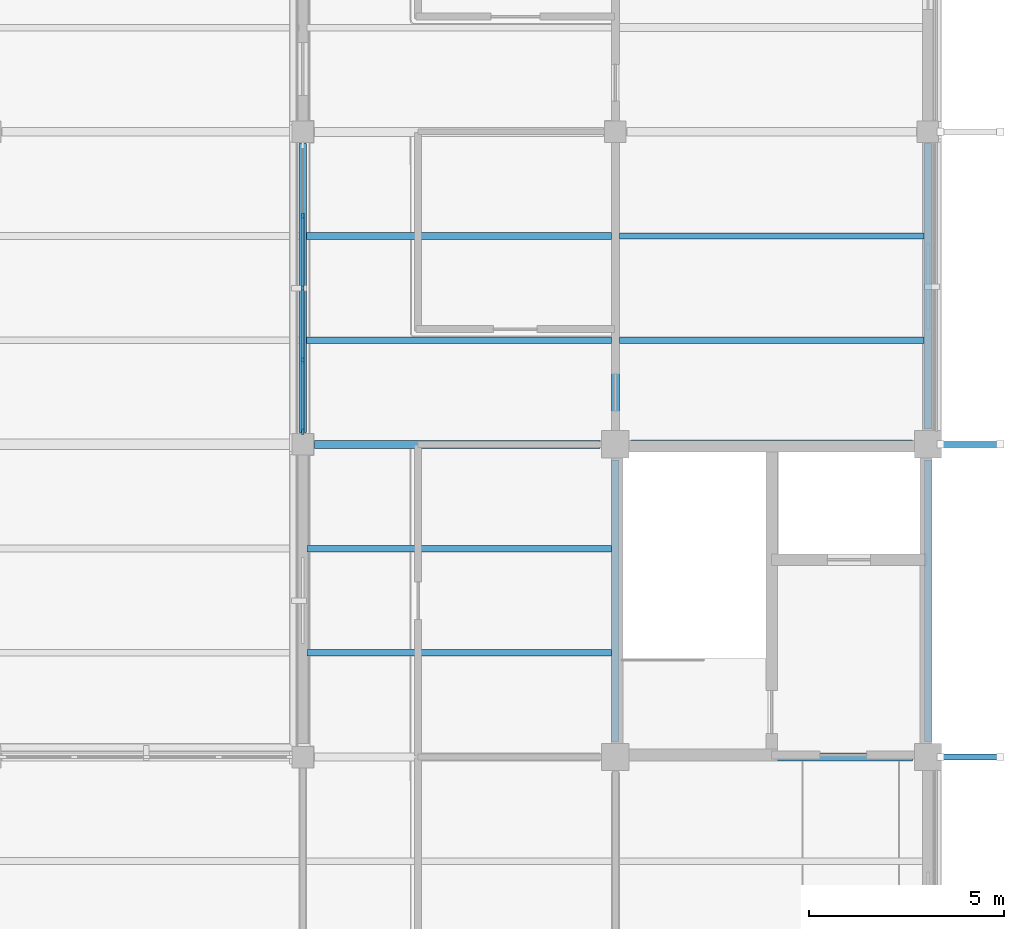
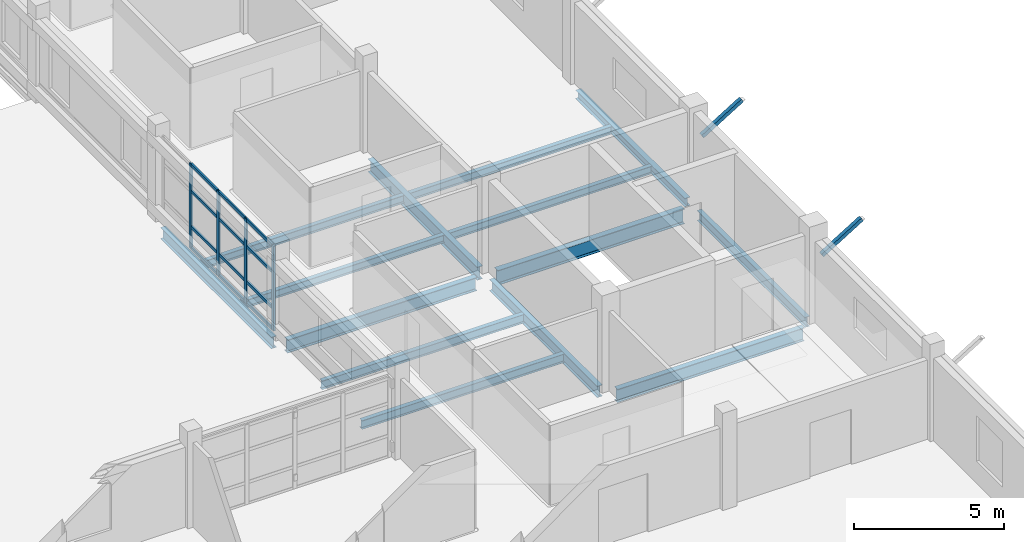
# One storey, part 41 of 107: 18 members, 14 beams, 1 element without a shape of its own.
"""IFC4 building model written with IfcOpenShell, lengths in metres."""

from ifc_helpers import new_model, si_unit, derived_unit, direction, frame, origin, origin_2d, place, context, subcontext, project, spatial, rectangle, hollow_rectangle, i_section, extrude, material, layer, layer_set, material_profile, profile_set, type_object, element, aggregate, save


model = new_model("IFC4")

# Units and contexts
model_context = context("Model", 3, precision=1e-05, world=origin(), true_north=direction((0.0, 1.0)))
body_context = subcontext(model_context, "Body", "Model", "MODEL_VIEW")
ifc_project = project(units=[si_unit("LENGTHUNIT", "METRE"), si_unit("AREAUNIT", "SQUARE_METRE"), si_unit("VOLUMEUNIT", "CUBIC_METRE"), si_unit("PLANEANGLEUNIT", "RADIAN"), si_unit("MASSUNIT", "GRAM", prefix="KILO"), derived_unit("THERMALTRANSMITTANCEUNIT", [(si_unit("MASSUNIT", "GRAM", prefix="KILO"), 1), (si_unit("TIMEUNIT", "SECOND"), -3), (si_unit("THERMODYNAMICTEMPERATUREUNIT", "KELVIN"), -1)])], contexts=[model_context])

# Site, building, storey
site_placement = place(None, origin())
site = spatial("IfcSite", under=ifc_project, at=site_placement, CompositionType="ELEMENT")
building_placement = place(site_placement, origin())
building = spatial("IfcBuilding", under=site, at=building_placement, Name="Veyamyaing Civic Hall", CompositionType="ELEMENT")
storey_placement = place(building_placement, frame((0.0, 0.0, 13.860107421875)))
storey = spatial("IfcBuildingStorey", under=building, at=storey_placement, Name="L03", CompositionType="ELEMENT", Elevation=13.860107421875)

# Beams
ifc_material_1 = material(Name="Steel ASTM A992", Category="steel")
ifc_material_profile_1 = material_profile(ifc_material_1, i_section(OverallWidth=0.22802734375, OverallDepth=0.60791015625, WebThickness=0.01123046875, FlangeThickness=0.017333984375, FilletRadius=0.012939453125, at=origin_2d()), Name="W610X113")
ifc_profile_set_1 = profile_set([ifc_material_profile_1], Name="Steel ASTM A992")
beam_type_1 = type_object("IfcBeamType", Name="B-06", PredefinedType="BEAM", material=ifc_profile_set_1)
beam_1_placement = place(storey_placement, frame((168.39990234375, 24.0, -0.55908203125), z_axis=(1.0, 0.0, 0.0), x_axis=(0.0, 1.0, 0.0)))
element("IfcBeam", 1, at=beam_1_placement, inside=storey, type_object=beam_type_1, Name="Girder B-06 L03 Grid D 22-23", PredefinedType="BEAM", context=body_context, shape_type="SweptSolid", body=[
    extrude(i_section(OverallWidth=0.22802734375, OverallDepth=0.60791015625, WebThickness=0.01123046875, FlangeThickness=0.017333984375, FilletRadius=0.012939453125, at=origin_2d()), origin(), (0.0, 0.0, 1.0), 7.2001953125),
])
ifc_material_profile_2 = material_profile(ifc_material_1, i_section(OverallWidth=0.208984375, OverallDepth=0.532958984375, WebThickness=0.01025390625, FlangeThickness=0.015625, FilletRadius=0.011962890625, at=origin_2d()), Name="W530X92")
ifc_profile_set_2 = profile_set([ifc_material_profile_2], Name="Steel ASTM A992")
beam_type_2 = type_object("IfcBeamType", Name="B-07", PredefinedType="BEAM", material=ifc_profile_set_2)
beam_2_placement = place(storey_placement, frame((168.0, 24.39990234375, -0.521728515625), z_axis=(0.0, 1.0, 0.0), x_axis=(-1.0, 0.0, 0.0)))
element("IfcBeam", 2, at=beam_2_placement, inside=storey, type_object=beam_type_2, Name="Girder B-07 L03 Grid 22 D-E", PredefinedType="BEAM", context=body_context, shape_type="SweptSolid", body=[
    extrude(i_section(OverallWidth=0.208984375, OverallDepth=0.532958984375, WebThickness=0.01025390625, FlangeThickness=0.015625, FilletRadius=0.011962890625, at=origin_2d()), origin(), (0.0, 0.0, 1.0), 7.300048828125),
])
ifc_material_profile_3 = material_profile(ifc_material_1, i_section(OverallWidth=0.179931640625, OverallDepth=0.4130859375, WebThickness=0.009765625, FlangeThickness=0.01611328125, FilletRadius=0.010009765625, at=origin_2d()), Name="W410X74")
ifc_profile_set_3 = profile_set([ifc_material_profile_3], Name="Steel ASTM A992")
beam_type_3 = type_object("IfcBeamType", Name="B-10", PredefinedType="SPANDREL", material=ifc_profile_set_3)
beam_3_placement = place(storey_placement, frame((176.0, 16.39990234375, -0.461669921875), z_axis=(0.0, 1.0, 0.0), x_axis=(-1.0, 0.0, 0.0)))
element("IfcBeam", 3, at=beam_3_placement, inside=storey, type_object=beam_type_3, Name="Girder B-10 L03 Grid 23 C-D", PredefinedType="SPANDREL", context=body_context, shape_type="SweptSolid", body=[
    extrude(i_section(OverallWidth=0.179931640625, OverallDepth=0.4130859375, WebThickness=0.009765625, FlangeThickness=0.01611328125, FilletRadius=0.010009765625, at=origin_2d()), origin(), (0.0, 0.0, 1.0), 7.2001953125),
])
ifc_material_profile_4 = material_profile(ifc_material_1, i_section(OverallWidth=0.2041015625, OverallDepth=0.35009765625, WebThickness=0.0078125, FlangeThickness=0.01513671875, FilletRadius=0.010009765625, at=origin_2d()), Name="W360X72")
ifc_profile_set_4 = profile_set([ifc_material_profile_4], Name="Steel ASTM A992")
beam_type_4 = type_object("IfcBeamType", Name="B-11", PredefinedType="SPANDREL", material=ifc_profile_set_4)
beam_4_placement = place(storey_placement, frame((176.0, 24.39990234375, -0.43017578125), z_axis=(0.0, 1.0, 0.0), x_axis=(-1.0, 0.0, 0.0)))
element("IfcBeam", 4, at=beam_4_placement, inside=storey, type_object=beam_type_4, Name="Girder B-11 L03 Grid 23 D-E", PredefinedType="SPANDREL", context=body_context, shape_type="SweptSolid", body=[
    extrude(i_section(OverallWidth=0.2041015625, OverallDepth=0.35009765625, WebThickness=0.0078125, FlangeThickness=0.01513671875, FilletRadius=0.010009765625, at=origin_2d()), origin(), (0.0, 0.0, 1.0), 7.300048828125),
])
ifc_material_profile_5 = material_profile(ifc_material_1, i_section(OverallWidth=0.2109375, OverallDepth=0.5390625, WebThickness=0.01171875, FlangeThickness=0.018798828125, FilletRadius=0.011962890625, at=origin_2d()), Name="W530X109")
ifc_profile_set_5 = profile_set([ifc_material_profile_5], Name="Steel ASTM A992")
beam_type_5 = type_object("IfcBeamType", Name="B-17", PredefinedType="BEAM", material=ifc_profile_set_5)
beam_5_placement = place(storey_placement, frame((168.39990234375, 16.0, -0.524658203125), z_axis=(1.0, 0.0, 0.0), x_axis=(0.0, 1.0, 0.0)))
element("IfcBeam", 5, at=beam_5_placement, inside=storey, type_object=beam_type_5, Name="Girder B-17 L03 Grid C 22-23", PredefinedType="BEAM", context=body_context, shape_type="SweptSolid", body=[
    extrude(i_section(OverallWidth=0.2109375, OverallDepth=0.5390625, WebThickness=0.01171875, FlangeThickness=0.018798828125, FilletRadius=0.011962890625, at=origin_2d()), origin(), (0.0, 0.0, 1.0), 7.2001953125),
])
beam_6_placement = place(storey_placement, frame((160.300048828125, 24.0, -0.524658203125), z_axis=(1.0, 0.0, 0.0), x_axis=(0.0, 1.0, 0.0)))
element("IfcBeam", 6, at=beam_6_placement, inside=storey, type_object=beam_type_5, Name="Girder B-17 L03 Grid D 21-22", PredefinedType="BEAM", context=body_context, shape_type="SweptSolid", body=[
    extrude(i_section(OverallWidth=0.2109375, OverallDepth=0.5390625, WebThickness=0.01171875, FlangeThickness=0.018798828125, FilletRadius=0.011962890625, at=origin_2d()), origin(), (0.0, 0.0, 1.0), 7.300048828125),
])
ifc_material_profile_6 = material_profile(ifc_material_1, i_section(OverallWidth=0.194091796875, OverallDepth=0.468994140625, WebThickness=0.0126953125, FlangeThickness=0.0205078125, FilletRadius=0.010009765625, at=origin_2d()), Name="W460X106")
ifc_profile_set_6 = profile_set([ifc_material_profile_6], Name="Steel ASTM A992")
beam_type_6 = type_object("IfcBeamType", Name="B-18", PredefinedType="BEAM", material=ifc_profile_set_6)
beam_7_placement = place(storey_placement, frame((160.0, 24.300048828125, -0.489501953125), z_axis=(0.0, 1.0, 0.0), x_axis=(-1.0, 0.0, 0.0)))
element("IfcBeam", 7, at=beam_7_placement, inside=storey, type_object=beam_type_6, Name="Girder B-18 L03 Grid 21 D-E", PredefinedType="BEAM", context=body_context, shape_type="SweptSolid", body=[
    extrude(i_section(OverallWidth=0.194091796875, OverallDepth=0.468994140625, WebThickness=0.0126953125, FlangeThickness=0.0205078125, FilletRadius=0.010009765625, at=origin_2d()), origin(), (0.0, 0.0, 1.0), 7.39990234375),
])
beam_8_placement = place(storey_placement, frame((168.0, 16.39990234375, -0.489501953125), z_axis=(0.0, 1.0, 0.0), x_axis=(-1.0, 0.0, 0.0)))
element("IfcBeam", 8, at=beam_8_placement, inside=storey, type_object=beam_type_6, Name="Girder B-18 L03 Grid 22 C-D", PredefinedType="BEAM", context=body_context, shape_type="SweptSolid", body=[
    extrude(i_section(OverallWidth=0.194091796875, OverallDepth=0.468994140625, WebThickness=0.0126953125, FlangeThickness=0.0205078125, FilletRadius=0.010009765625, at=origin_2d()), origin(), (0.0, 0.0, 1.0), 7.2001953125),
])

# Curtain wall, members
ifc_material_2 = material(Name="Anodised aluminium 6063-T6", Category="aluminium")
ifc_layer = layer(ifc_material_2, 0.159912109375, Name="Anodised aluminium 6063-T6")
ifc_layer_set = layer_set([ifc_layer], Name="Anodised aluminium 6063-T6")
curtain_wall_type = type_object("IfcCurtainWallType", Name="CW-07", PredefinedType="NOTDEFINED", material=ifc_layer_set)
curtain_wall_placement = place(storey_placement, origin())
curtain_wall = element("IfcCurtainWall", 9, at=curtain_wall_placement, inside=storey, type_object=curtain_wall_type, Name="Unitized curtain wall CW-07 L03 W 21.4", PredefinedType="NOTDEFINED")
ifc_material_profile_7 = material_profile(ifc_material_2, rectangle(XDim=0.06494140625, YDim=0.159912109375, at=origin_2d()), Name="ALU-MUL-65X160")
ifc_profile_set_7 = profile_set([ifc_material_profile_7], Name="Anodised aluminium 6063-T6")
member_type_1 = type_object("IfcMemberType", Name="CWM-01", PredefinedType="MULLION", material=ifc_profile_set_7)
member_1_placement = place(storey_placement, frame((160.0, 24.33740234375, 0.0), z_axis=(0.0, 0.0, 1.0), x_axis=(-1.0, 0.0, 0.0)))
member_1 = element("IfcMember", 10, at=member_1_placement, type_object=member_type_1, Name="CW-07 mullion 1", PredefinedType="MULLION", context=body_context, shape_type="SweptSolid", body=[
    extrude(rectangle(XDim=0.06494140625, YDim=0.159912109375, at=origin_2d()), origin(), (0.0, 0.0, 1.0), 3.453857421875),
])
member_2_placement = place(storey_placement, frame((160.0, 26.152587890625, 0.0), z_axis=(0.0, 0.0, 1.0), x_axis=(-1.0, 0.0, 0.0)))
member_2 = element("IfcMember", 11, at=member_2_placement, type_object=member_type_1, Name="CW-07 mullion 2", PredefinedType="MULLION", context=body_context, shape_type="SweptSolid", body=[
    extrude(rectangle(XDim=0.06494140625, YDim=0.159912109375, at=origin_2d()), origin(), (0.0, 0.0, 1.0), 3.453857421875),
])
member_3_placement = place(storey_placement, frame((160.0, 28.0, 0.0), z_axis=(0.0, 0.0, 1.0), x_axis=(-1.0, 0.0, 0.0)))
member_3 = element("IfcMember", 12, at=member_3_placement, type_object=member_type_1, Name="CW-07 mullion 3", PredefinedType="MULLION", context=body_context, shape_type="SweptSolid", body=[
    extrude(rectangle(XDim=0.06494140625, YDim=0.159912109375, at=origin_2d()), origin(), (0.0, 0.0, 1.0), 3.453857421875),
])
member_4_placement = place(storey_placement, frame((160.0, 29.847412109375, 0.0), z_axis=(0.0, 0.0, 1.0), x_axis=(-1.0, 0.0, 0.0)))
member_4 = element("IfcMember", 13, at=member_4_placement, type_object=member_type_1, Name="CW-07 mullion 4", PredefinedType="MULLION", context=body_context, shape_type="SweptSolid", body=[
    extrude(rectangle(XDim=0.06494140625, YDim=0.159912109375, at=origin_2d()), origin(), (0.0, 0.0, 1.0), 3.453857421875),
])
ifc_material_profile_8 = material_profile(ifc_material_2, rectangle(XDim=0.06494140625, YDim=0.1201171875, at=origin_2d()), Name="ALU-TRN-65X120")
ifc_profile_set_8 = profile_set([ifc_material_profile_8], Name="Anodised aluminium 6063-T6")
member_type_2 = type_object("IfcMemberType", Name="CWT-01", PredefinedType="USERDEFINED", material=ifc_profile_set_8)
member_5_placement = place(storey_placement, frame((160.0, 24.3701171875, 0.032470703125), z_axis=(0.0, 1.0, 0.0), x_axis=(-1.0, 0.0, 0.0)))
member_5 = element("IfcMember", 14, at=member_5_placement, type_object=member_type_2, Name="CW-07 transom 1.1", ObjectType="TRANSOM", PredefinedType="USERDEFINED", context=body_context, shape_type="SweptSolid", body=[
    extrude(rectangle(XDim=0.06494140625, YDim=0.1201171875, at=origin_2d()), origin(), (0.0, 0.0, 1.0), 1.75),
])
member_6_placement = place(storey_placement, frame((160.0, 24.3701171875, 0.89990234375), z_axis=(0.0, 1.0, 0.0), x_axis=(-1.0, 0.0, 0.0)))
member_6 = element("IfcMember", 15, at=member_6_placement, type_object=member_type_2, Name="CW-07 transom 1.2", ObjectType="TRANSOM", PredefinedType="USERDEFINED", context=body_context, shape_type="SweptSolid", body=[
    extrude(rectangle(XDim=0.06494140625, YDim=0.1201171875, at=origin_2d()), origin(), (0.0, 0.0, 1.0), 1.75),
])
member_7_placement = place(storey_placement, frame((160.0, 24.3701171875, 2.3486328125), z_axis=(0.0, 1.0, 0.0), x_axis=(-1.0, 0.0, 0.0)))
member_7 = element("IfcMember", 16, at=member_7_placement, type_object=member_type_2, Name="CW-07 transom 1.3", ObjectType="TRANSOM", PredefinedType="USERDEFINED", context=body_context, shape_type="SweptSolid", body=[
    extrude(rectangle(XDim=0.06494140625, YDim=0.1201171875, at=origin_2d()), origin(), (0.0, 0.0, 1.0), 1.75),
])
member_8_placement = place(storey_placement, frame((160.0, 24.3701171875, 3.42138671875), z_axis=(0.0, 1.0, 0.0), x_axis=(-1.0, 0.0, 0.0)))
member_8 = element("IfcMember", 17, at=member_8_placement, type_object=member_type_2, Name="CW-07 transom 1.4", ObjectType="TRANSOM", PredefinedType="USERDEFINED", context=body_context, shape_type="SweptSolid", body=[
    extrude(rectangle(XDim=0.06494140625, YDim=0.1201171875, at=origin_2d()), origin(), (0.0, 0.0, 1.0), 1.75),
])
member_9_placement = place(storey_placement, frame((160.0, 26.18505859375, 0.032470703125), z_axis=(0.0, 1.0, 0.0), x_axis=(-1.0, 0.0, 0.0)))
member_9 = element("IfcMember", 18, at=member_9_placement, type_object=member_type_2, Name="CW-07 transom 2.1", ObjectType="TRANSOM", PredefinedType="USERDEFINED", context=body_context, shape_type="SweptSolid", body=[
    extrude(rectangle(XDim=0.06494140625, YDim=0.1201171875, at=origin_2d()), origin(), (0.0, 0.0, 1.0), 1.782470703125),
])
member_10_placement = place(storey_placement, frame((160.0, 26.18505859375, 0.89990234375), z_axis=(0.0, 1.0, 0.0), x_axis=(-1.0, 0.0, 0.0)))
member_10 = element("IfcMember", 19, at=member_10_placement, type_object=member_type_2, Name="CW-07 transom 2.2", ObjectType="TRANSOM", PredefinedType="USERDEFINED", context=body_context, shape_type="SweptSolid", body=[
    extrude(rectangle(XDim=0.06494140625, YDim=0.1201171875, at=origin_2d()), origin(), (0.0, 0.0, 1.0), 1.782470703125),
])
member_11_placement = place(storey_placement, frame((160.0, 26.18505859375, 2.3486328125), z_axis=(0.0, 1.0, 0.0), x_axis=(-1.0, 0.0, 0.0)))
member_11 = element("IfcMember", 20, at=member_11_placement, type_object=member_type_2, Name="CW-07 transom 2.3", ObjectType="TRANSOM", PredefinedType="USERDEFINED", context=body_context, shape_type="SweptSolid", body=[
    extrude(rectangle(XDim=0.06494140625, YDim=0.1201171875, at=origin_2d()), origin(), (0.0, 0.0, 1.0), 1.782470703125),
])
member_12_placement = place(storey_placement, frame((160.0, 26.18505859375, 3.42138671875), z_axis=(0.0, 1.0, 0.0), x_axis=(-1.0, 0.0, 0.0)))
member_12 = element("IfcMember", 21, at=member_12_placement, type_object=member_type_2, Name="CW-07 transom 2.4", ObjectType="TRANSOM", PredefinedType="USERDEFINED", context=body_context, shape_type="SweptSolid", body=[
    extrude(rectangle(XDim=0.06494140625, YDim=0.1201171875, at=origin_2d()), origin(), (0.0, 0.0, 1.0), 1.782470703125),
])
member_13_placement = place(storey_placement, frame((160.0, 28.032470703125, 0.032470703125), z_axis=(0.0, 1.0, 0.0), x_axis=(-1.0, 0.0, 0.0)))
member_13 = element("IfcMember", 22, at=member_13_placement, type_object=member_type_2, Name="CW-07 transom 3.1", ObjectType="TRANSOM", PredefinedType="USERDEFINED", context=body_context, shape_type="SweptSolid", body=[
    extrude(rectangle(XDim=0.06494140625, YDim=0.1201171875, at=origin_2d()), origin(), (0.0, 0.0, 1.0), 1.782470703125),
])
member_14_placement = place(storey_placement, frame((160.0, 28.032470703125, 0.89990234375), z_axis=(0.0, 1.0, 0.0), x_axis=(-1.0, 0.0, 0.0)))
member_14 = element("IfcMember", 23, at=member_14_placement, type_object=member_type_2, Name="CW-07 transom 3.2", ObjectType="TRANSOM", PredefinedType="USERDEFINED", context=body_context, shape_type="SweptSolid", body=[
    extrude(rectangle(XDim=0.06494140625, YDim=0.1201171875, at=origin_2d()), origin(), (0.0, 0.0, 1.0), 1.782470703125),
])
member_15_placement = place(storey_placement, frame((160.0, 28.032470703125, 2.3486328125), z_axis=(0.0, 1.0, 0.0), x_axis=(-1.0, 0.0, 0.0)))
member_15 = element("IfcMember", 24, at=member_15_placement, type_object=member_type_2, Name="CW-07 transom 3.3", ObjectType="TRANSOM", PredefinedType="USERDEFINED", context=body_context, shape_type="SweptSolid", body=[
    extrude(rectangle(XDim=0.06494140625, YDim=0.1201171875, at=origin_2d()), origin(), (0.0, 0.0, 1.0), 1.782470703125),
])
member_16_placement = place(storey_placement, frame((160.0, 28.032470703125, 3.42138671875), z_axis=(0.0, 1.0, 0.0), x_axis=(-1.0, 0.0, 0.0)))
member_16 = element("IfcMember", 25, at=member_16_placement, type_object=member_type_2, Name="CW-07 transom 3.4", ObjectType="TRANSOM", PredefinedType="USERDEFINED", context=body_context, shape_type="SweptSolid", body=[
    extrude(rectangle(XDim=0.06494140625, YDim=0.1201171875, at=origin_2d()), origin(), (0.0, 0.0, 1.0), 1.782470703125),
])
aggregate(curtain_wall, [member_1, member_2, member_3, member_4, member_5, member_6, member_7, member_8, member_9, member_10, member_11, member_12, member_13, member_14, member_15, member_16])

# Beams
ifc_material_profile_9 = material_profile(ifc_material_1, i_section(OverallWidth=0.1708984375, OverallDepth=0.35205078125, WebThickness=0.0068359375, FlangeThickness=0.009765625, FilletRadius=0.010009765625, at=origin_2d()), Name="W360X44")
ifc_profile_set_9 = profile_set([ifc_material_profile_9], Name="Steel ASTM A992")
beam_type_7 = type_object("IfcBeamType", Name="J-03", PredefinedType="JOIST", material=ifc_profile_set_9)
for number, where, z_axis, x_axis, name in (
    (26, (160.103515625, 18.666748046875, -0.43115234375), (1.0, 0.0, 0.0), (0.0, 1.0, 0.0), "Composite floor joist J-03 L03 21.3.1"),
    (27, (160.103515625, 21.333251953125, -0.43115234375), (1.0, 0.0, 0.0), (0.0, 1.0, 0.0), "Composite floor joist J-03 L03 21.3.2"),
):
    element("IfcBeam", number, at=place(storey_placement, frame(where, z_axis=z_axis, x_axis=x_axis)), inside=storey, type_object=beam_type_7, Name=name, PredefinedType="JOIST", context=body_context, shape_type="SweptSolid", body=[
        extrude(i_section(OverallWidth=0.1708984375, OverallDepth=0.35205078125, WebThickness=0.0068359375, FlangeThickness=0.009765625, FilletRadius=0.010009765625, at=origin_2d()), origin(), (0.0, 0.0, 1.0), 7.801513671875),
    ])
ifc_material_profile_10 = material_profile(ifc_material_1, i_section(OverallWidth=0.1669921875, OverallDepth=0.318115234375, WebThickness=0.007568359375, FlangeThickness=0.01318359375, FilletRadius=0.010009765625, at=origin_2d()), Name="W310X52")
ifc_profile_set_10 = profile_set([ifc_material_profile_10], Name="Steel ASTM A992")
beam_type_8 = type_object("IfcBeamType", Name="J-04", PredefinedType="JOIST", material=ifc_profile_set_10)
for number, where, z_axis, x_axis, name in (
    (28, (160.094970703125, 26.666748046875, -0.4140625), (1.0, 0.0, 0.0), (0.0, 1.0, 0.0), "Composite floor joist J-04 L03 21.4.1"),
    (29, (160.094970703125, 29.333251953125, -0.4140625), (1.0, 0.0, 0.0), (0.0, 1.0, 0.0), "Composite floor joist J-04 L03 21.4.2"),
):
    element("IfcBeam", number, at=place(storey_placement, frame(where, z_axis=z_axis, x_axis=x_axis)), inside=storey, type_object=beam_type_8, Name=name, PredefinedType="JOIST", context=body_context, shape_type="SweptSolid", body=[
        extrude(i_section(OverallWidth=0.1669921875, OverallDepth=0.318115234375, WebThickness=0.007568359375, FlangeThickness=0.01318359375, FilletRadius=0.010009765625, at=origin_2d()), origin(), (0.0, 0.0, 1.0), 7.802490234375),
    ])
ifc_material_profile_11 = material_profile(ifc_material_1, i_section(OverallWidth=0.1650390625, OverallDepth=0.31005859375, WebThickness=0.005859375, FlangeThickness=0.009765625, FilletRadius=0.010009765625, at=origin_2d()), Name="W310X39")
ifc_profile_set_11 = profile_set([ifc_material_profile_11], Name="Steel ASTM A992")
beam_type_9 = type_object("IfcBeamType", Name="J-05", PredefinedType="JOIST", material=ifc_profile_set_11)
for number, where, z_axis, x_axis, name in (
    (30, (168.1025390625, 26.666748046875, -0.41015625), (1.0, 0.0, 0.0), (0.0, 1.0, 0.0), "Composite floor joist J-05 L03 22.4.1"),
    (31, (168.1025390625, 29.333251953125, -0.41015625), (1.0, 0.0, 0.0), (0.0, 1.0, 0.0), "Composite floor joist J-05 L03 22.4.2"),
):
    element("IfcBeam", number, at=place(storey_placement, frame(where, z_axis=z_axis, x_axis=x_axis)), inside=storey, type_object=beam_type_9, Name=name, PredefinedType="JOIST", context=body_context, shape_type="SweptSolid", body=[
        extrude(i_section(OverallWidth=0.1650390625, OverallDepth=0.31005859375, WebThickness=0.005859375, FlangeThickness=0.009765625, FilletRadius=0.010009765625, at=origin_2d()), origin(), (0.0, 0.0, 1.0), 7.79736328125),
    ])

# Members
ifc_material_3 = material(Name="Steel S355J2", Category="steel")
ifc_material_profile_12 = material_profile(ifc_material_3, hollow_rectangle(XDim=0.152099609375, YDim=0.152099609375, WallThickness=0.009521484375, at=origin_2d()), Name="HSS152X152X9.5")
ifc_profile_set_12 = profile_set([ifc_material_profile_12], Name="Steel S355J2")
member_type_3 = type_object("IfcMemberType", Name="SR-01", PredefinedType="STRUT", material=ifc_profile_set_12)
for number, where, z_axis, x_axis, name in (
    (32, (176.320068359375, 16.0, 2.409912109375), (0.852059527287, 0.0, 0.523444898685), (0.0, 1.0, 0.0), "Sacak diagonal steel eave strut SR-01 V3-E.2"),
    (33, (176.320068359375, 24.0, 2.409912109375), (0.852059527287, 0.0, 0.523444898685), (0.0, 1.0, 0.0), "Sacak diagonal steel eave strut SR-01 V3-E.3"),
):
    element("IfcMember", number, at=place(storey_placement, frame(where, z_axis=z_axis, x_axis=x_axis)), inside=storey, type_object=member_type_3, Name=name, PredefinedType="STRUT", context=body_context, shape_type="SweptSolid", body=[
        extrude(hollow_rectangle(XDim=0.152099609375, YDim=0.152099609375, WallThickness=0.009521484375, at=origin_2d()), origin(), (0.0, 0.0, 1.0), 1.795654296875),
    ])

save(model, "model.ifc")
